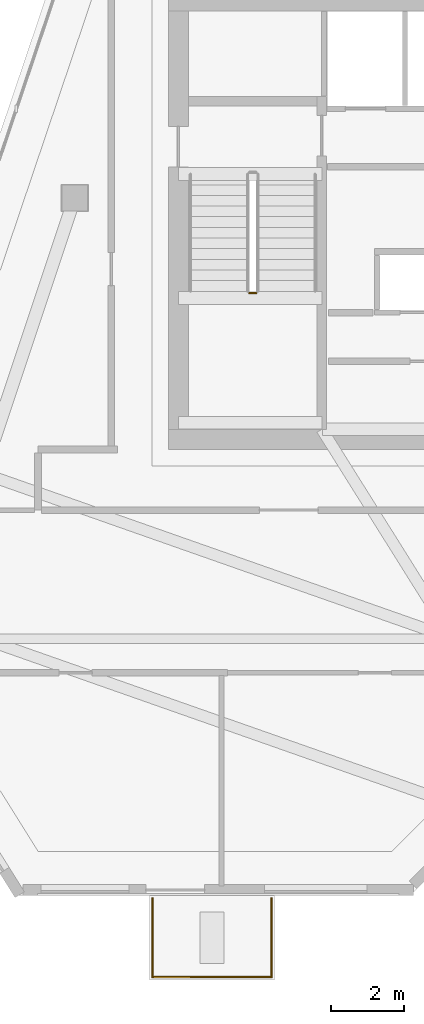
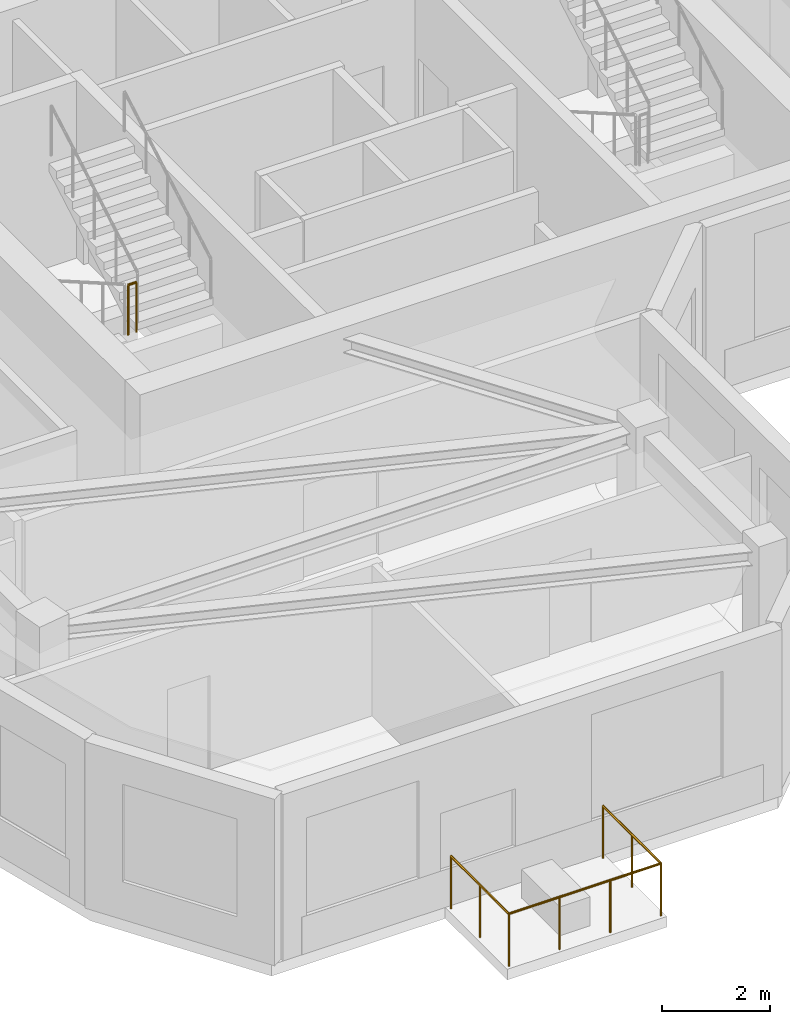
# One storey, part 6 of 8: 4 railings.
"""IFC4 building model written with IfcOpenShell, lengths in metres."""

from ifc_helpers import new_model, si_unit, direction, frame, origin, origin_2d, place, context, subcontext, project, spatial, circle, extrude, material, type_object, element, save


model = new_model("IFC4")

# Units and contexts
model_context = context("Model", 3, precision=1e-05, world=origin(), true_north=direction((0.0, 1.0)))
body_context = subcontext(model_context, "Body", "Model", "MODEL_VIEW")
ifc_project = project(units=[si_unit("LENGTHUNIT", "METRE"), si_unit("AREAUNIT", "SQUARE_METRE"), si_unit("VOLUMEUNIT", "CUBIC_METRE"), si_unit("PLANEANGLEUNIT", "RADIAN"), si_unit("MASSUNIT", "GRAM", prefix="KILO")], contexts=[model_context])

# Site, building, storey
site_placement = place(None, origin())
site = spatial("IfcSite", under=ifc_project, at=site_placement, CompositionType="ELEMENT")
building_placement = place(site_placement, origin())
building = spatial("IfcBuilding", under=site, at=building_placement, Name="Calvemar Wedge Station Tower", CompositionType="ELEMENT")
storey_placement = place(building_placement, frame((0.0, 0.0, 296.5)))
storey = spatial("IfcBuildingStorey", under=building, at=storey_placement, Name="L76", CompositionType="ELEMENT", Elevation=296.5)

# Railings
ifc_material_1 = material(Name="Stainless steel AISI 316L", Category="steel")
railing_type_1 = type_object("IfcRailingType", Name="GRD-TERR-1200", PredefinedType="GUARDRAIL", material=ifc_material_1)
railing_1_placement = place(storey_placement, frame((18.860107421875, 21.419921875, 0.0)))
element("IfcRailing", 1, at=railing_1_placement, inside=storey, type_object=railing_type_1, Name="Storey L76 Spiral Terrace Guard 2", PredefinedType="GUARDRAIL", context=body_context, shape_type="SweptSolid", body=[
    extrude(circle(Radius=0.02392578125, at=origin_2d()), frame((0.0, 0.0, 1.17578125), z_axis=(0.0, -1.0, 0.0), x_axis=(1.0, 0.0, 0.0)), (0.0, 0.0, 1.0), 2.139892578125),
    extrude(circle(Radius=0.02099609375, at=origin_2d()), origin(), (0.0, 0.0, 1.0), 1.15185546875),
    extrude(circle(Radius=0.02099609375, at=origin_2d()), frame((0.0, -1.06982421875, 0.0)), (0.0, 0.0, 1.0), 1.15185546875),
    extrude(circle(Radius=0.02099609375, at=origin_2d()), frame((0.0, -2.139892578125, 0.0)), (0.0, 0.0, 1.0), 1.15185546875),
])
railing_2_placement = place(storey_placement, frame((18.860107421875, 19.280029296875, 0.0)))
element("IfcRailing", 2, at=railing_2_placement, inside=storey, type_object=railing_type_1, Name="Storey L76 Spiral Terrace Guard 3", PredefinedType="GUARDRAIL", context=body_context, shape_type="SweptSolid", body=[
    extrude(circle(Radius=0.02392578125, at=origin_2d()), frame((0.0, 0.0, 1.17578125), z_axis=(-1.0, 0.0, 0.0), x_axis=(0.0, -1.0, 0.0)), (0.0, 0.0, 1.0), 3.239990234375),
    extrude(circle(Radius=0.02099609375, at=origin_2d()), origin(), (0.0, 0.0, 1.0), 1.15185546875),
    extrude(circle(Radius=0.02099609375, at=origin_2d()), frame((-1.080078125, 0.0, 0.0)), (0.0, 0.0, 1.0), 1.15185546875),
    extrude(circle(Radius=0.02099609375, at=origin_2d()), frame((-2.159912109375, 0.0, 0.0)), (0.0, 0.0, 1.0), 1.15185546875),
    extrude(circle(Radius=0.02099609375, at=origin_2d()), frame((-3.239990234375, 0.0, 0.0)), (0.0, 0.0, 1.0), 1.15185546875),
])
railing_3_placement = place(storey_placement, frame((15.6201171875, 19.280029296875, 0.0)))
element("IfcRailing", 3, at=railing_3_placement, inside=storey, type_object=railing_type_1, Name="Storey L76 Spiral Terrace Guard 4", PredefinedType="GUARDRAIL", context=body_context, shape_type="SweptSolid", body=[
    extrude(circle(Radius=0.02392578125, at=origin_2d()), frame((0.0, 0.0, 1.17578125), z_axis=(0.0, 1.0, 0.0), x_axis=(-1.0, 0.0, 0.0)), (0.0, 0.0, 1.0), 2.139892578125),
    extrude(circle(Radius=0.02099609375, at=origin_2d()), origin(), (0.0, 0.0, 1.0), 1.15185546875),
    extrude(circle(Radius=0.02099609375, at=origin_2d()), frame((0.0, 1.06982421875, 0.0)), (0.0, 0.0, 1.0), 1.15185546875),
    extrude(circle(Radius=0.02099609375, at=origin_2d()), frame((0.0, 2.139892578125, 0.0)), (0.0, 0.0, 1.0), 1.15185546875),
])
ifc_material_2 = material(Name="Painted steel guardrail ASTM A500 Grade C", Category="steel")
railing_type_2 = type_object("IfcRailingType", Name="RL-STAIR-GUARD-1150", PredefinedType="GUARDRAIL", material=ifc_material_2)
railing_4_placement = place(storey_placement, frame((18.260009765625, 37.909912109375, 2.0)))
element("IfcRailing", 4, at=railing_4_placement, inside=storey, type_object=railing_type_2, Name="L76 ST-C1 stair guard 2", PredefinedType="GUARDRAIL", context=body_context, shape_type="SweptSolid", body=[
    extrude(circle(Radius=0.02392578125, at=origin_2d()), frame((0.0, 0.0, 1.1259765625), z_axis=(1.0, 0.0, 0.0), x_axis=(0.0, 1.0, 0.0)), (0.0, 0.0, 1.0), 0.179931640625),
    extrude(circle(Radius=0.02099609375, at=origin_2d()), origin(), (0.0, 0.0, 1.0), 1.101806640625),
    extrude(circle(Radius=0.02099609375, at=origin_2d()), frame((0.179931640625, 0.0, 0.0)), (0.0, 0.0, 1.0), 1.101806640625),
])

save(model, "model.ifc")
